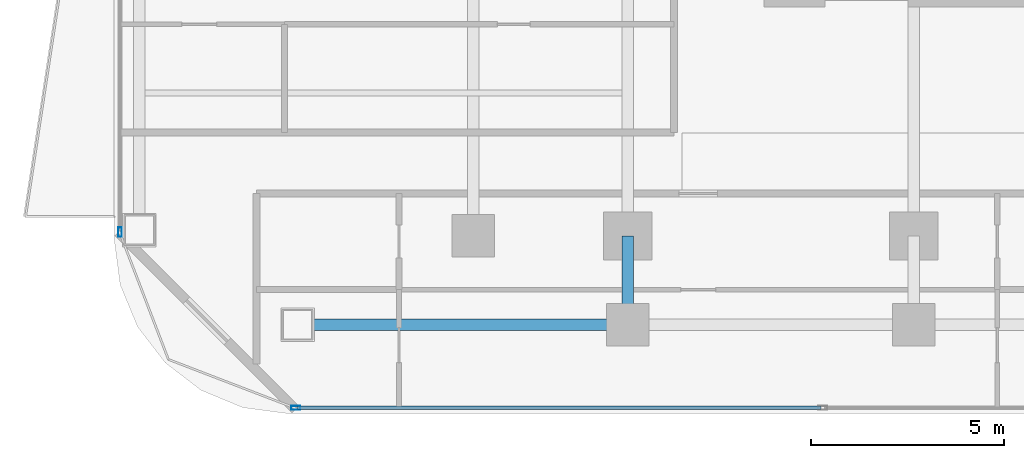
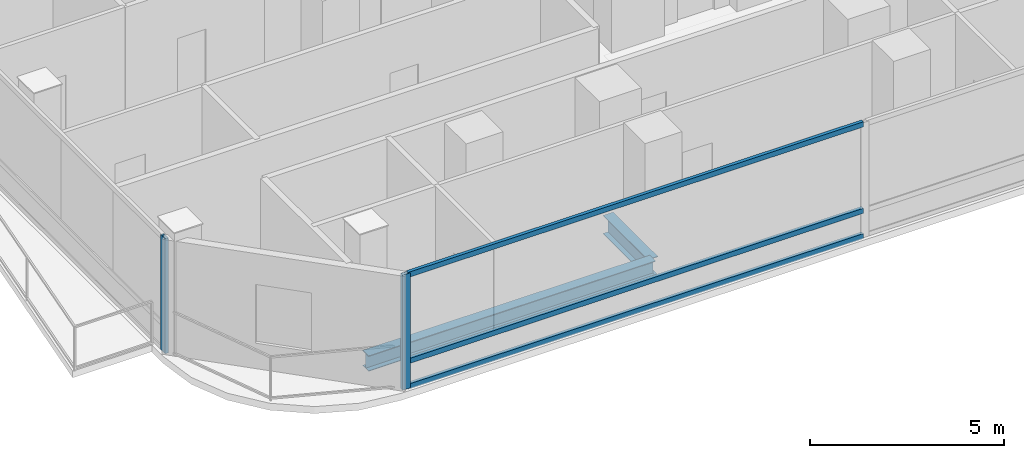
# One storey, part 2 of 28: 5 members, 2 beams, 2 elements without a shape of their own.
"""IFC4 building model written with IfcOpenShell, lengths in metres."""

from ifc_helpers import new_model, si_unit, direction, frame, origin, origin_2d, place, context, subcontext, project, spatial, hollow_rectangle, i_section, extrude, material, layer, layer_set, material_profile, profile_set, type_object, element, aggregate, save


model = new_model("IFC4")

# Units and contexts
model_context = context("Model", 3, precision=1e-05, world=origin(), true_north=direction((0.0, 1.0)))
body_context = subcontext(model_context, "Body", "Model", "MODEL_VIEW")
ifc_project = project(units=[si_unit("LENGTHUNIT", "METRE"), si_unit("AREAUNIT", "SQUARE_METRE"), si_unit("VOLUMEUNIT", "CUBIC_METRE"), si_unit("PLANEANGLEUNIT", "RADIAN"), si_unit("MASSUNIT", "GRAM", prefix="KILO")], contexts=[model_context])

# Site, building, storey
site_placement = place(None, origin())
site = spatial("IfcSite", under=ifc_project, at=site_placement, CompositionType="ELEMENT")
building_placement = place(site_placement, origin())
building = spatial("IfcBuilding", under=site, at=building_placement, Name="Khorvyn Point Tower", CompositionType="ELEMENT")
storey_placement = place(building_placement, frame((0.0, 0.0, 104.699951171875)))
storey = spatial("IfcBuildingStorey", under=building, at=storey_placement, Name="L26", CompositionType="ELEMENT", Elevation=104.699951171875)

# Curtain wall, member
ifc_material_1 = material(Name="Anodised aluminium 6063-T6 and laminated Low-E glass", Category="aluminium")
ifc_layer = layer(ifc_material_1, 0.18994140625)
ifc_layer_set = layer_set([ifc_layer], Name="Stick-Built Finned Residential Curtain Wall CW-SYS-02")
curtain_wall_type = type_object("IfcCurtainWallType", Name="Stick-Built Finned Residential Curtain Wall CW-SYS-02", PredefinedType="NOTDEFINED", material=ifc_layer_set)
curtain_wall_1_placement = place(storey_placement, origin())
curtain_wall_1 = element("IfcCurtainWall", 1, at=curtain_wall_1_placement, inside=storey, type_object=curtain_wall_type, Name="Curtain Wall", PredefinedType="NOTDEFINED")
ifc_material_2 = material(Name="Anodised aluminium 6063-T6", Category="aluminium")
ifc_material_profile_1 = material_profile(ifc_material_2, hollow_rectangle(XDim=0.10009765625, YDim=0.239990234375, WallThickness=0.0048828125, at=origin_2d()))
ifc_profile_set_1 = profile_set([ifc_material_profile_1], Name="Anodised aluminium 6063-T6 ALU-MUL-100x240")
member_type_1 = type_object("IfcMemberType", Name="Anodised Aluminium 6063-T6 Mullion ALU-MUL-100x240", PredefinedType="MULLION", material=ifc_profile_set_1)
member_1_placement = place(storey_placement, frame((-23.39990234375, -19.25, 0.0), z_axis=(0.0, 0.0, 1.0), x_axis=(0.0, -1.0, 0.0)))
member_1 = element("IfcMember", 2, at=member_1_placement, type_object=member_type_1, Name="Transom", PredefinedType="MULLION", context=body_context, shape_type="SweptSolid", body=[
    extrude(hollow_rectangle(XDim=0.10009765625, YDim=0.239990234375, WallThickness=0.0048828125, at=origin_2d()), origin(), (0.0, 0.0, 1.0), 3.6201171875),
])

curtain_wall_2_placement = place(storey_placement, origin())
curtain_wall_2 = element("IfcCurtainWall", 3, at=curtain_wall_2_placement, inside=storey, type_object=curtain_wall_type, Name="Curtain Wall", PredefinedType="NOTDEFINED")
member_2_placement = place(storey_placement, frame((-27.949951171875, -14.699951171875, 0.0), z_axis=(0.0, 0.0, 1.0), x_axis=(-1.0, 0.0, 0.0)))
member_2 = element("IfcMember", 4, at=member_2_placement, type_object=member_type_1, Name="Transom", PredefinedType="MULLION", context=body_context, shape_type="SweptSolid", body=[
    extrude(hollow_rectangle(XDim=0.10009765625, YDim=0.239990234375, WallThickness=0.0048828125, at=origin_2d()), origin(), (0.0, 0.0, 1.0), 3.6201171875),
])
aggregate(curtain_wall_2, [member_2])

# Member
ifc_material_profile_2 = material_profile(ifc_material_2, hollow_rectangle(XDim=0.10009765625, YDim=0.159912109375, WallThickness=0.00439453125, at=origin_2d()))
ifc_profile_set_2 = profile_set([ifc_material_profile_2], Name="Anodised aluminium 6063-T6 ALU-TRN-100x160")
member_type_2 = type_object("IfcMemberType", Name="Anodised Aluminium 6063-T6 Transom ALU-TRN-100x160", PredefinedType="USERDEFINED", material=ifc_profile_set_2)
member_3_placement = place(storey_placement, frame((-9.800048828125, -19.25, 0.050048828125), z_axis=(-1.0, 0.0, 0.0), x_axis=(0.0, -1.0, 0.0)))
member_3 = element("IfcMember", 5, at=member_3_placement, type_object=member_type_2, Name="Transom", ObjectType="TRANSOM", PredefinedType="USERDEFINED", context=body_context, shape_type="SweptSolid", body=[
    extrude(hollow_rectangle(XDim=0.10009765625, YDim=0.159912109375, WallThickness=0.00439453125, at=origin_2d()), origin(), (0.0, 0.0, 1.0), 13.550048828125),
])

member_4_placement = place(storey_placement, frame((-9.800048828125, -19.25, 0.85009765625), z_axis=(-1.0, 0.0, 0.0), x_axis=(0.0, -1.0, 0.0)))
member_4 = element("IfcMember", 6, at=member_4_placement, type_object=member_type_2, Name="Transom", ObjectType="TRANSOM", PredefinedType="USERDEFINED", context=body_context, shape_type="SweptSolid", body=[
    extrude(hollow_rectangle(XDim=0.10009765625, YDim=0.159912109375, WallThickness=0.00439453125, at=origin_2d()), origin(), (0.0, 0.0, 1.0), 13.550048828125),
])

member_5_placement = place(storey_placement, frame((-9.800048828125, -19.25, 3.570068359375), z_axis=(-1.0, 0.0, 0.0), x_axis=(0.0, -1.0, 0.0)))
member_5 = element("IfcMember", 7, at=member_5_placement, type_object=member_type_2, Name="Transom", ObjectType="TRANSOM", PredefinedType="USERDEFINED", context=body_context, shape_type="SweptSolid", body=[
    extrude(hollow_rectangle(XDim=0.10009765625, YDim=0.159912109375, WallThickness=0.00439453125, at=origin_2d()), origin(), (0.0, 0.0, 1.0), 13.550048828125),
])

aggregate(curtain_wall_1, [member_1, member_3, member_4, member_5])

# Beams
ifc_material_3 = material(Name="Steel S355", Category="steel")
ifc_material_profile_3 = material_profile(ifc_material_3, i_section(OverallWidth=0.300048828125, OverallDepth=0.587890625, WebThickness=0.011962890625, FlangeThickness=0.02001953125, at=origin_2d()))
ifc_profile_set_3 = profile_set([ifc_material_profile_3], Name="Steel S355 H588x300x12x20")
beam_type_1 = type_object("IfcBeamType", Name="Steel S355 Beam H588x300x12x20", PredefinedType="BEAM", material=ifc_profile_set_3)
beam_1_placement = place(storey_placement, frame((-14.800048828125, -17.10009765625, -0.513916015625), z_axis=(0.0, 1.0, 0.0), x_axis=(-1.0, 0.0, 0.0)))
element("IfcBeam", 8, at=beam_1_placement, inside=storey, type_object=beam_type_1, Name="Beam", PredefinedType="BEAM", context=body_context, shape_type="SweptSolid", body=[
    extrude(i_section(OverallWidth=0.300048828125, OverallDepth=0.587890625, WebThickness=0.011962890625, FlangeThickness=0.02001953125, at=origin_2d()), origin(), (0.0, 0.0, 1.0), 2.300048828125),
])
ifc_material_profile_4 = material_profile(ifc_material_3, i_section(OverallWidth=0.300048828125, OverallDepth=0.488037109375, WebThickness=0.010986328125, FlangeThickness=0.01806640625, at=origin_2d()))
ifc_profile_set_4 = profile_set([ifc_material_profile_4], Name="Steel S355 H488x300x11x18")
beam_type_2 = type_object("IfcBeamType", Name="Steel S355 Spandrel H488x300x11x18", PredefinedType="SPANDREL", material=ifc_profile_set_4)
beam_2_placement = place(storey_placement, frame((-23.35009765625, -17.10009765625, -0.4638671875), z_axis=(1.0, 0.0, 0.0), x_axis=(0.0, 1.0, 0.0)))
element("IfcBeam", 9, at=beam_2_placement, inside=storey, type_object=beam_type_2, Name="Beam", PredefinedType="SPANDREL", context=body_context, shape_type="SweptSolid", body=[
    extrude(i_section(OverallWidth=0.300048828125, OverallDepth=0.488037109375, WebThickness=0.010986328125, FlangeThickness=0.01806640625, at=origin_2d()), origin(), (0.0, 0.0, 1.0), 8.550048828125),
])

save(model, "model.ifc")
